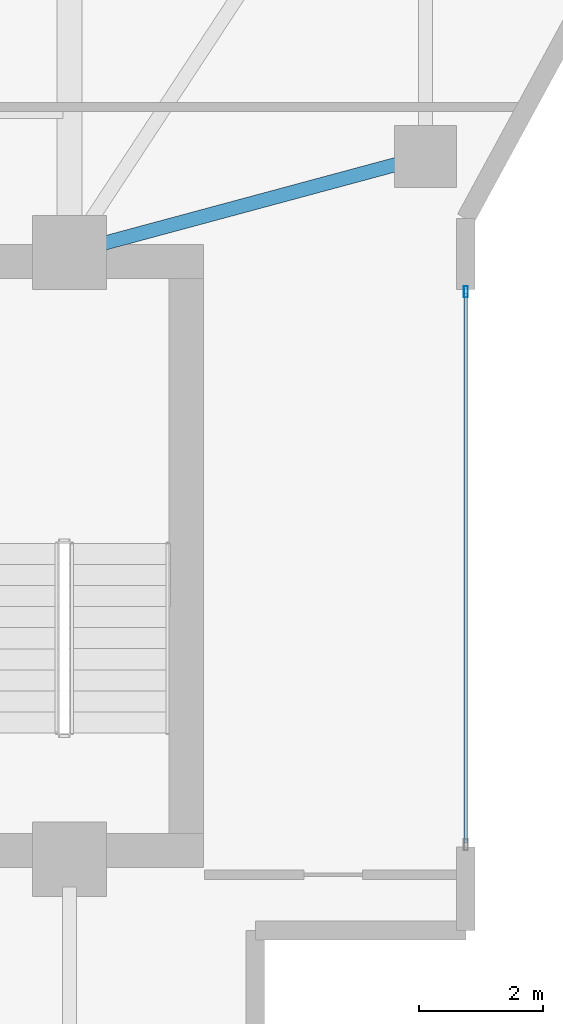
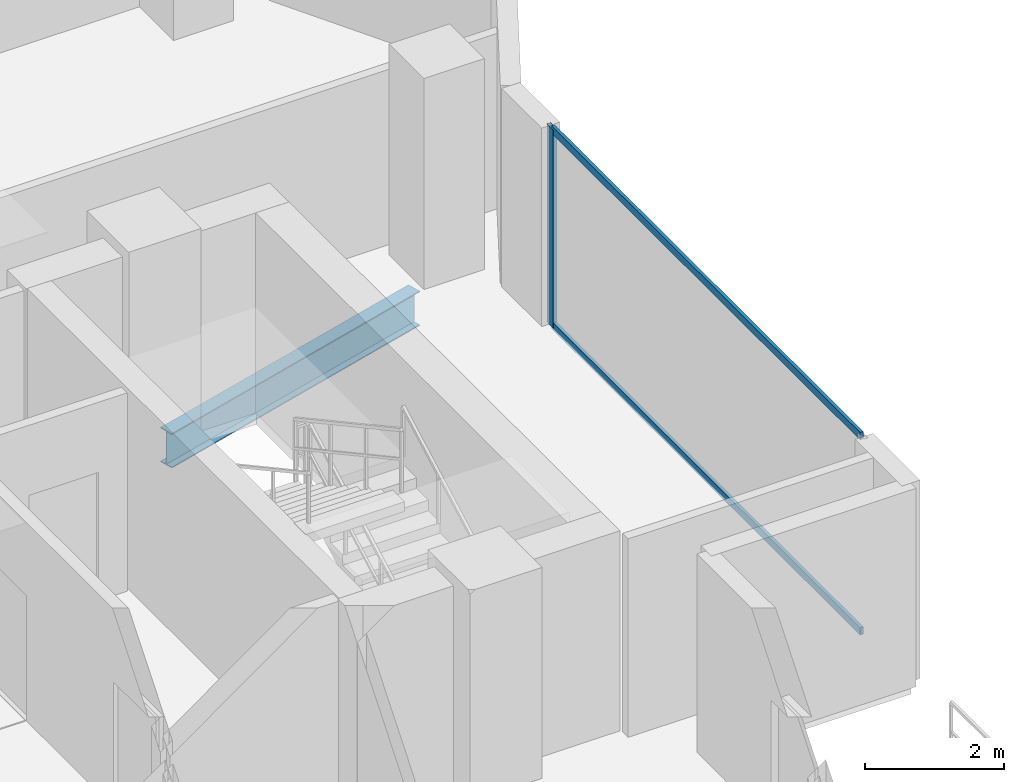
# One storey, part 9 of 25: 3 members, 1 beam, 1 element without a shape of its own.
"""IFC4 building model written with IfcOpenShell, lengths in metres."""

import ifcopenshell
import ifcopenshell.guid

model = None  # the IFC model being written
_history = None  # IfcOwnerHistory: only IFC2X3 demands one
_inside = {}  # id of a spatial element -> (the spatial element, [elements in it])
_under = {}  # id of a project, library or spatial element -> (it, [spatial elements below it])
_declared = {}  # id of a project -> (the project, [libraries it declares])
_typed = {}  # id of a type object -> (the type object, [elements of that type])
_made_of = {}  # id of a material, layer set ... -> (it, [elements and type objects made of it])


def new_model(schema):
    """Start an empty IFC model of exactly this schema.

    Asked for "IFC4X3", IfcOpenShell would pick the latest addendum, in which some entities
    have other attributes; the version numbers below select the first issue.
    IFC2X3 requires an IfcOwnerHistory on every rooted entity: one is made here for all.
    """
    global model, _history
    if schema == "IFC4X3":
        model = ifcopenshell.file(schema_version=(4, 3, 0, 0))
    else:
        model = ifcopenshell.file(schema=schema)
    _inside.clear()
    _under.clear()
    _declared.clear()
    _typed.clear()
    _made_of.clear()
    _history = None
    if model.schema == "IFC2X3":
        org = make("IfcOrganization", Name="unknown")
        user = make(
            "IfcPersonAndOrganization",
            ThePerson=make("IfcPerson", FamilyName="unknown"),
            TheOrganization=org,
        )
        app = make(
            "IfcApplication",
            ApplicationDeveloper=org,
            Version="unknown",
            ApplicationFullName="unknown",
            ApplicationIdentifier="unknown",
        )
        _history = make(
            "IfcOwnerHistory",
            OwningUser=user,
            OwningApplication=app,
            ChangeAction="ADDED",
            CreationDate=0,
        )
    return model


def make(cls, **values):
    """One entity of the class cls with the attributes given. An attribute that is None is left unset."""
    return model.create_entity(
        cls, **{name: value for name, value in values.items() if value is not None}
    )


def rooted(cls, **values):
    """An entity with a GlobalId (a new one), such as an element, a storey or a relation."""
    return make(cls, GlobalId=ifcopenshell.guid.new(), OwnerHistory=_history, **values)


def si_unit(unit_type, name, prefix=None):
    """IfcSIUnit, for example si_unit("LENGTHUNIT", "METRE", prefix="MILLI")."""
    return make("IfcSIUnit", UnitType=unit_type, Prefix=prefix, Name=name)


def assignment(units):
    """IfcUnitAssignment: the units of a project."""
    return None if units is None else make("IfcUnitAssignment", Units=units)


def point(xyz):
    """IfcCartesianPoint."""
    return None if xyz is None else make("IfcCartesianPoint", Coordinates=xyz)


def direction(xyz):
    """IfcDirection."""
    return None if xyz is None else make("IfcDirection", DirectionRatios=xyz)


def frame(location, z_axis=None, x_axis=None):
    """IfcAxis2Placement3D, a coordinate frame: its origin and axes. An axis left out is left unset."""
    return make(
        "IfcAxis2Placement3D",
        Location=point(location),
        Axis=direction(z_axis),
        RefDirection=direction(x_axis),
    )


def frame_2d(location, x_axis=None):
    """IfcAxis2Placement2D, a coordinate frame in the plane: its origin and x axis."""
    return make(
        "IfcAxis2Placement2D", Location=point(location), RefDirection=direction(x_axis)
    )


def origin():
    """The frame at (0, 0, 0) with its axes left unset."""
    return frame((0.0, 0.0, 0.0))


def origin_2d():
    """The frame at (0, 0) in the plane with its x axis left unset."""
    return frame_2d((0.0, 0.0))


def place(relative_to, where):
    """IfcLocalPlacement: puts the frame where relative to a parent placement (None: the world)."""
    return make(
        "IfcLocalPlacement", PlacementRelTo=relative_to, RelativePlacement=where
    )


def context(
    kind, dimensions, precision=None, world=None, true_north=None, identifier=None
):
    """IfcGeometricRepresentationContext, for example the 3D "Model" context."""
    return make(
        "IfcGeometricRepresentationContext",
        ContextIdentifier=identifier,
        ContextType=kind,
        CoordinateSpaceDimension=dimensions,
        Precision=precision,
        WorldCoordinateSystem=world,
        TrueNorth=true_north,
    )


def subcontext(parent, identifier, kind, view, scale=None):
    """IfcGeometricRepresentationSubContext, for example "Body" below "Model"."""
    return make(
        "IfcGeometricRepresentationSubContext",
        ContextIdentifier=identifier,
        ContextType=kind,
        ParentContext=parent,
        TargetScale=scale,
        TargetView=view,
    )


def project(units=None, contexts=None):
    """IfcProject with its units and contexts."""
    return rooted(
        "IfcProject",
        Name="project",
        RepresentationContexts=contexts,
        UnitsInContext=assignment(units),
    )


def spatial(cls, under=None, at=None, **own):
    """A site, building, storey or space (cls), placed at a placement, below another one or the project."""
    s = rooted(cls, ObjectPlacement=at, **own)
    if under is not None:
        _under.setdefault(under.id(), (under, []))[1].append(s)
    return s


def profile(cls, at=None, kind="AREA", **sizes):
    """A parametric profile (cls). Its sizes go by their IFC names, for example OverallWidth=200.0."""
    return make(cls, ProfileType=kind, Position=at, **sizes)


def hollow_rectangle(**sizes):
    """IfcRectangleHollowProfileDef."""
    return profile("IfcRectangleHollowProfileDef", **sizes)


def i_section(**sizes):
    """IfcIShapeProfileDef."""
    return profile("IfcIShapeProfileDef", **sizes)


def extrude(swept, where, along, depth):
    """IfcExtrudedAreaSolid: the profile swept, set in the frame where, extruded along a direction by depth."""
    return make(
        "IfcExtrudedAreaSolid",
        SweptArea=swept,
        Position=where,
        ExtrudedDirection=direction(along),
        Depth=depth,
    )


def shape(context_of_items, identifier, shape_type, items):
    """IfcShapeRepresentation: the items that make up one representation, for example the "Body"."""
    return make(
        "IfcShapeRepresentation",
        ContextOfItems=context_of_items,
        RepresentationIdentifier=identifier,
        RepresentationType=shape_type,
        Items=items,
    )


def material(Name=None, Category=None):
    """IfcMaterial."""
    return make("IfcMaterial", Name=Name, Category=Category)


def layer(
    of_material, thickness, ventilated=None, Name=None, Category=None, Priority=None
):
    """IfcMaterialLayer: one layer of a wall or slab, of a material (None: an air gap)."""
    return make(
        "IfcMaterialLayer",
        Material=of_material,
        LayerThickness=thickness,
        IsVentilated=ventilated,
        Name=Name,
        Category=Category,
        Priority=Priority,
    )


def layer_set(layers, Name=None):
    """IfcMaterialLayerSet."""
    return make("IfcMaterialLayerSet", MaterialLayers=layers, LayerSetName=Name)


def material_profile(
    of_material, cross_section, Name=None, Category=None, Priority=None
):
    """IfcMaterialProfile: a cross section and its material."""
    return make(
        "IfcMaterialProfile",
        Name=Name,
        Material=of_material,
        Profile=cross_section,
        Priority=Priority,
        Category=Category,
    )


def profile_set(profiles, Name=None, composite=None):
    """IfcMaterialProfileSet."""
    return make(
        "IfcMaterialProfileSet",
        Name=Name,
        MaterialProfiles=profiles,
        CompositeProfile=composite,
    )


def made_of(thing, what):
    """Note that an element or type object is made of a material, layer set ...; save() writes the relation."""
    if what is not None:
        _made_of.setdefault(what.id(), (what, []))[1].append(thing)
    return thing


def type_object(cls, material=None, **own):
    """A type object (cls), such as IfcWallType, which elements share."""
    return made_of(rooted(cls, **own), material)


def element(
    cls,
    number,
    at=None,
    inside=None,
    cuts=None,
    type_object=None,
    material=None,
    context=None,
    identifier="Body",
    shape_type=None,
    held_by="IfcProductDefinitionShape",
    body=None,
    shapes=None,
    **own,
):
    """One element of the class cls, such as IfcWall. Its Tag is "e" and its number.

    at: its placement. inside: the storey or other place that contains it. cuts: it is an
    opening in that element (IfcRelVoidsElement). A single representation is given by context,
    identifier, shape_type and body (its items); several are given by shapes. held_by: the class
    of the entity that holds the representations. save() writes the other relations.
    """
    e = rooted(cls, Tag="e%d" % number, ObjectPlacement=at, **own)
    if body is not None:
        shapes = [shape(context, identifier, shape_type, body)]
    if shapes is not None:
        e.Representation = make(held_by, Representations=shapes)
    if inside is not None:
        _inside.setdefault(inside.id(), (inside, []))[1].append(e)
    if cuts is not None:
        rooted(
            "IfcRelVoidsElement", RelatingBuildingElement=cuts, RelatedOpeningElement=e
        )
    if type_object is not None:
        _typed.setdefault(type_object.id(), (type_object, []))[1].append(e)
    return made_of(e, material)


def aggregate(whole, parts):
    """IfcRelAggregates: a whole, such as a stair, and the parts it consists of."""
    return rooted("IfcRelAggregates", RelatingObject=whole, RelatedObjects=parts)


def save(model, path):
    """Write the relations noted so far, then the file.

    IfcRelAggregates (storeys below a building ...), IfcRelContainedInSpatialStructure (elements
    in a storey), IfcRelDefinesByType, IfcRelAssociatesMaterial and IfcRelDeclares: one each for
    every whole, place, type object, material and project.
    """
    for whole, parts in _under.values():
        aggregate(whole, parts)
    for where, things in _inside.values():
        rooted(
            "IfcRelContainedInSpatialStructure",
            RelatedElements=things,
            RelatingStructure=where,
        )
    for kind, things in _typed.values():
        rooted("IfcRelDefinesByType", RelatedObjects=things, RelatingType=kind)
    for what, things in _made_of.values():
        rooted("IfcRelAssociatesMaterial", RelatedObjects=things, RelatingMaterial=what)
    for by, libraries in _declared.values():
        rooted("IfcRelDeclares", RelatingContext=by, RelatedDefinitions=libraries)
    model.write(path)


model = new_model("IFC4")

# Units and contexts
model_context = context("Model", 3, precision=1e-05, world=origin(), true_north=direction((0.0, 1.0)))
body_context = subcontext(model_context, "Body", "Model", "MODEL_VIEW")
ifc_project = project(units=[si_unit("LENGTHUNIT", "METRE"), si_unit("AREAUNIT", "SQUARE_METRE"), si_unit("VOLUMEUNIT", "CUBIC_METRE"), si_unit("PLANEANGLEUNIT", "RADIAN"), si_unit("MASSUNIT", "GRAM", prefix="KILO")], contexts=[model_context])

# Site, building, storey
site_placement = place(None, origin())
site = spatial("IfcSite", under=ifc_project, at=site_placement, CompositionType="ELEMENT")
building_placement = place(site_placement, origin())
building = spatial("IfcBuilding", under=site, at=building_placement, Name="Zuhayl Quay Hotel", CompositionType="ELEMENT")
storey_placement = place(building_placement, frame((0.0, 0.0, 250.75)))
storey = spatial("IfcBuildingStorey", under=building, at=storey_placement, Name="L63", CompositionType="ELEMENT", Elevation=250.75)

# Beam
ifc_material_1 = material(Name="Steel ASTM A992 Grade 50", Category="steel")
ifc_material_profile_1 = material_profile(ifc_material_1, i_section(OverallWidth=0.22802734375, OverallDepth=0.60693359375, WebThickness=0.01123046875, FlangeThickness=0.017333984375, at=origin_2d()), Name="W24X76")
ifc_profile_set_1 = profile_set([ifc_material_profile_1], Name="Steel ASTM A992 Grade 50")
beam_type = type_object("IfcBeamType", Name="BM_B3_W24X76", PredefinedType="BEAM", material=ifc_profile_set_1)
beam_placement = place(storey_placement, frame((14.234619140625, 14.467041015625, -0.5234375), z_axis=(0.965530205773, 0.26029103277, 0.0), x_axis=(-0.26029103277, 0.965530205773, 0.0)))
element("IfcBeam", 1, at=beam_placement, inside=storey, type_object=beam_type, Name="L63 Floor Beam FG_E_L63_1", PredefinedType="BEAM", context=body_context, shape_type="SweptSolid", body=[
    extrude(i_section(OverallWidth=0.22802734375, OverallDepth=0.60693359375, WebThickness=0.01123046875, FlangeThickness=0.017333984375, at=origin_2d()), origin(), (0.0, 0.0, 1.0), 5.045166015625),
])

# Curtain wall, members
ifc_material_2 = material(Name="Anodised Aluminium 6063-T6", Category="aluminium")
ifc_layer = layer(ifc_material_2, 0.169921875, Name="Anodised Aluminium 6063-T6", Category="aluminium")
ifc_layer_set = layer_set([ifc_layer], Name="Anodised Aluminium 6063-T6")
curtain_wall_type = type_object("IfcCurtainWallType", Name="CW_SYS_Z4", PredefinedType="USERDEFINED", material=ifc_layer_set)
curtain_wall_placement = place(storey_placement, origin())
curtain_wall = element("IfcCurtainWall", 2, at=curtain_wall_placement, inside=storey, type_object=curtain_wall_type, Name="L63 Curtain Wall ENV_L63_E14_CW1", ObjectType="UNITISED CURTAIN WALL", PredefinedType="USERDEFINED")
ifc_material_3 = material(Name="Black-anodised aluminium 6063-T6", Category="aluminium")
ifc_material_profile_2 = material_profile(ifc_material_3, hollow_rectangle(XDim=0.06494140625, YDim=0.179931640625, WallThickness=0.00341796875, at=origin_2d()), Name="ALU180X65")
ifc_profile_set_2 = profile_set([ifc_material_profile_2], Name="Black-anodised aluminium 6063-T6")
member_type_1 = type_object("IfcMemberType", Name="MB_CW_MUL_180", PredefinedType="MULLION", material=ifc_profile_set_2)
member_1_placement = place(storey_placement, frame((20.199951171875, 13.717529296875, 0.0), z_axis=(0.0, 0.0, 1.0), x_axis=(1.0, 0.0, 0.0)))
member_1 = element("IfcMember", 3, at=member_1_placement, type_object=member_type_1, Name="CW-Z4 mullion 1", PredefinedType="MULLION", context=body_context, shape_type="SweptSolid", body=[
    extrude(hollow_rectangle(XDim=0.06494140625, YDim=0.179931640625, WallThickness=0.00341796875, at=origin_2d()), origin(), (0.0, 0.0, 1.0), 3.47998046875),
])
ifc_material_profile_3 = material_profile(ifc_material_3, hollow_rectangle(XDim=0.054931640625, YDim=0.1298828125, WallThickness=0.0029296875, at=origin_2d()), Name="ALU130X55")
ifc_profile_set_3 = profile_set([ifc_material_profile_3], Name="Black-anodised aluminium 6063-T6")
member_type_2 = type_object("IfcMemberType", Name="MB_CW_TRN_130", PredefinedType="USERDEFINED", material=ifc_profile_set_3)
member_2_placement = place(storey_placement, frame((20.199951171875, 13.68505859375, 0.027587890625), z_axis=(0.0, -1.0, 0.0), x_axis=(1.0, 0.0, 0.0)))
member_2 = element("IfcMember", 4, at=member_2_placement, type_object=member_type_2, Name="CW-Z4 transom 1.1", ObjectType="TRANSOM", PredefinedType="USERDEFINED", context=body_context, shape_type="SweptSolid", body=[
    extrude(hollow_rectangle(XDim=0.054931640625, YDim=0.1298828125, WallThickness=0.0029296875, at=origin_2d()), origin(), (0.0, 0.0, 1.0), 8.8701171875),
])
member_3_placement = place(storey_placement, frame((20.199951171875, 13.68505859375, 3.452392578125), z_axis=(0.0, -1.0, 0.0), x_axis=(1.0, 0.0, 0.0)))
member_3 = element("IfcMember", 5, at=member_3_placement, type_object=member_type_2, Name="CW-Z4 transom 1.2", ObjectType="TRANSOM", PredefinedType="USERDEFINED", context=body_context, shape_type="SweptSolid", body=[
    extrude(hollow_rectangle(XDim=0.054931640625, YDim=0.1298828125, WallThickness=0.0029296875, at=origin_2d()), origin(), (0.0, 0.0, 1.0), 8.8701171875),
])
aggregate(curtain_wall, [member_1, member_2, member_3])

save(model, "model.ifc")
